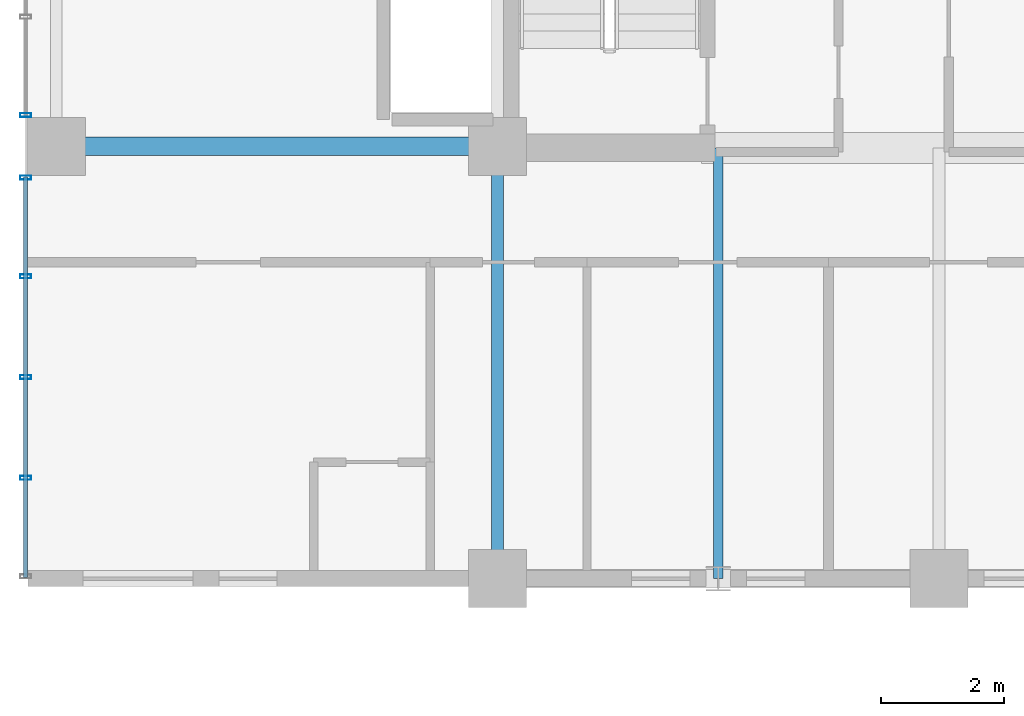
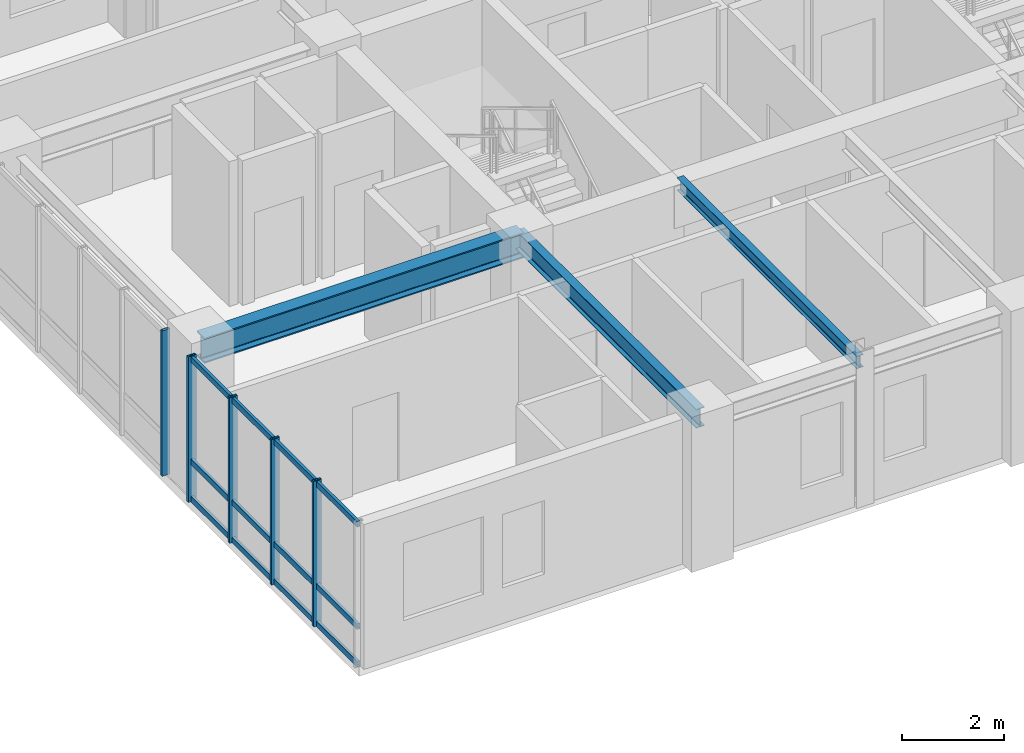
# One storey, part 6 of 20: 8 members, 3 beams, 2 elements without a shape of their own.
"""IFC4 building model written with IfcOpenShell, lengths in metres."""

from ifc_helpers import new_model, si_unit, direction, frame, origin, origin_2d, place, context, subcontext, project, spatial, hollow_rectangle, i_section, extrude, source, transform, mapped, material, layer, layer_set, material_profile, profile_set, type_object, element, aggregate, save


model = new_model("IFC4")

# Units and contexts
model_context = context("Model", 3, precision=1e-05, world=origin(), true_north=direction((0.0, 1.0)))
body_context = subcontext(model_context, "Body", "Model", "MODEL_VIEW")
ifc_project = project(units=[si_unit("LENGTHUNIT", "METRE"), si_unit("AREAUNIT", "SQUARE_METRE"), si_unit("VOLUMEUNIT", "CUBIC_METRE"), si_unit("PLANEANGLEUNIT", "RADIAN"), si_unit("MASSUNIT", "GRAM", prefix="KILO")], contexts=[model_context])

# Site, building, storey
site_placement = place(None, origin())
site = spatial("IfcSite", under=ifc_project, at=site_placement, CompositionType="ELEMENT")
building_placement = place(site_placement, origin())
building = spatial("IfcBuilding", under=site, at=building_placement, Name="Kaliganga Portal Commons", CompositionType="ELEMENT")
storey_placement = place(building_placement, frame((0.0, 0.0, 201.800048828125)))
storey = spatial("IfcBuildingStorey", under=building, at=storey_placement, Name="L51", CompositionType="ELEMENT", Elevation=201.800048828125)

# Beams
ifc_material_1 = material(Name="Structural steel S355J2", Category="steel")
ifc_material_profile_1 = material_profile(ifc_material_1, i_section(OverallWidth=0.300048828125, OverallDepth=0.60009765625, WebThickness=0.015380859375, FlangeThickness=0.030029296875, FilletRadius=0.027099609375, at=origin_2d()), Name="HE 600 B")
ifc_profile_set_1 = profile_set([ifc_material_profile_1], Name="Structural steel S355J2 wide-flange")
beam_type_1 = type_object("IfcBeamType", Name="BM-GIRD-600", PredefinedType="USERDEFINED", material=ifc_profile_set_1)
shared_shape_1 = source(origin(), body_context, "Body", "SweptSolid", [
    extrude(i_section(OverallWidth=0.300048828125, OverallDepth=0.60009765625, WebThickness=0.015380859375, FlangeThickness=0.030029296875, FilletRadius=0.027099609375, at=origin_2d()), origin(), (0.0, 0.0, 1.0), 7.199951171875),
])
beam_1_placement = place(storey_placement, frame((7.199951171875, 28.64990234375, 3.169921875), z_axis=(1.0, 0.0, 0.0), x_axis=(0.0, 1.0, 0.0)))
element("IfcBeam", 1, at=beam_1_placement, inside=storey, type_object=beam_type_1, Name="BM G L51 WAH_S 1", ObjectType="GIRDER", PredefinedType="USERDEFINED", context=body_context, shape_type="MappedRepresentation", body=[
    mapped(shared_shape_1, transform((0.0, 0.0, 0.0), x_axis=(1.0, 0.0, 0.0), y_axis=(0.0, 1.0, 0.0), z_axis=(0.0, 0.0, 1.0), scale=1.0)),
])
ifc_material_profile_2 = material_profile(ifc_material_1, i_section(OverallWidth=0.18994140625, OverallDepth=0.449951171875, WebThickness=0.009521484375, FlangeThickness=0.0146484375, FilletRadius=0.02099609375, at=origin_2d()), Name="IPE 450")
ifc_profile_set_2 = profile_set([ifc_material_profile_2], Name="Structural steel S355J2 wide-flange")
beam_type_2 = type_object("IfcBeamType", Name="BM-FLR-450", PredefinedType="BEAM", material=ifc_profile_set_2)
shared_shape_2 = source(origin(), body_context, "Body", "SweptSolid", [
    extrude(i_section(OverallWidth=0.18994140625, OverallDepth=0.449951171875, WebThickness=0.009521484375, FlangeThickness=0.0146484375, FilletRadius=0.02099609375, at=origin_2d()), origin(), (0.0, 0.0, 1.0), 7.0498046875),
])
beam_2_placement = place(storey_placement, frame((14.39990234375, 21.60009765625, 3.244873046875), z_axis=(0.0, 1.0, 0.0), x_axis=(-1.0, 0.0, 0.0)))
element("IfcBeam", 2, at=beam_2_placement, inside=storey, type_object=beam_type_2, Name="BM G L51 AS144", PredefinedType="BEAM", context=body_context, shape_type="MappedRepresentation", body=[
    mapped(shared_shape_2, transform((0.0, 0.0, 0.0), x_axis=(1.0, 0.0, 0.0), y_axis=(0.0, 1.0, 0.0), z_axis=(0.0, 0.0, 1.0), scale=1.0)),
])
ifc_material_profile_3 = material_profile(ifc_material_1, i_section(OverallWidth=0.14990234375, OverallDepth=0.300048828125, WebThickness=0.007080078125, FlangeThickness=0.0107421875, FilletRadius=0.014892578125, at=origin_2d()), Name="IPE 300")
ifc_profile_set_3 = profile_set([ifc_material_profile_3], Name="Structural steel S355J2 wide-flange")
beam_type_3 = type_object("IfcBeamType", Name="BM-JST-300", PredefinedType="JOIST", material=ifc_profile_set_3)
shared_shape_3 = source(origin(), body_context, "Body", "SweptSolid", [
    extrude(i_section(OverallWidth=0.14990234375, OverallDepth=0.300048828125, WebThickness=0.007080078125, FlangeThickness=0.0107421875, FilletRadius=0.014892578125, at=origin_2d()), origin(), (0.0, 0.0, 1.0), 7.02490234375),
])
beam_3_placement = place(storey_placement, frame((18.0, 21.60009765625, 3.320068359375), z_axis=(0.0, 1.0, 0.0), x_axis=(-1.0, 0.0, 0.0)))
element("IfcBeam", 3, at=beam_3_placement, inside=storey, type_object=beam_type_3, Name="BM G L51 AS180", PredefinedType="JOIST", context=body_context, shape_type="MappedRepresentation", body=[
    mapped(shared_shape_3, transform((0.0, 0.0, 0.0), x_axis=(1.0, 0.0, 0.0), y_axis=(0.0, 1.0, 0.0), z_axis=(0.0, 0.0, 1.0), scale=1.0)),
])

# Curtain wall, member
ifc_material_2 = material(Name="Anodized Aluminium and Laminated Low-E Glass", Category="aluminium")
ifc_layer = layer(ifc_material_2, 0.199951171875)
ifc_layer_set = layer_set([ifc_layer], Name="Anodized Aluminium and Laminated Low-E Glass")
curtain_wall_type = type_object("IfcCurtainWallType", Name="CW-SYS-02", PredefinedType="NOTDEFINED", material=ifc_layer_set)
curtain_wall_1_placement = place(storey_placement, origin())
curtain_wall_1 = element("IfcCurtainWall", 4, at=curtain_wall_1_placement, inside=storey, type_object=curtain_wall_type, Name="CW 02 L51 P1E03S2", PredefinedType="NOTDEFINED")
ifc_material_3 = material(Name="Dark Bronze Anodized Aluminium", Category="aluminium")
ifc_material_profile_4 = material_profile(ifc_material_3, hollow_rectangle(XDim=0.06494140625, YDim=0.179931640625, WallThickness=0.00390625, at=origin_2d()), Name="ALU MULL 65x180x4")
ifc_profile_set_4 = profile_set([ifc_material_profile_4], Name="Dark Bronze Anodized Aluminium")
member_type_1 = type_object("IfcMemberType", Name="CW-MUL-180", PredefinedType="MULLION", material=ifc_profile_set_4)
shared_shape_4 = source(origin(), body_context, "Body", "SweptSolid", [
    extrude(hollow_rectangle(XDim=0.06494140625, YDim=0.179931640625, WallThickness=0.00390625, at=origin_2d()), origin(), (0.0, 0.0, 1.0), 3.469970703125),
])
member_1_placement = place(storey_placement, frame((6.699951171875, 29.160888671875, 0.0), z_axis=(0.0, 0.0, 1.0), x_axis=(0.0, -1.0, 0.0)))
member_1 = element("IfcMember", 5, at=member_1_placement, type_object=member_type_1, Name="CW:02:L51:P1E03S2 Mullion 04", PredefinedType="MULLION", context=body_context, shape_type="MappedRepresentation", body=[
    mapped(shared_shape_4, transform((0.0, 0.0, 0.0), x_axis=(1.0, 0.0, 0.0), y_axis=(0.0, 1.0, 0.0), z_axis=(0.0, 0.0, 1.0), scale=1.0)),
])
aggregate(curtain_wall_1, [member_1])

# Curtain wall, members
curtain_wall_2_placement = place(storey_placement, origin())
curtain_wall_2 = element("IfcCurtainWall", 6, at=curtain_wall_2_placement, inside=storey, type_object=curtain_wall_type, Name="CW 02 L51 P1E03S3", PredefinedType="NOTDEFINED")
member_2_placement = place(storey_placement, frame((6.699951171875, 28.138916015625, 0.0), z_axis=(0.0, 0.0, 1.0), x_axis=(0.0, -1.0, 0.0)))
member_2 = element("IfcMember", 7, at=member_2_placement, type_object=member_type_1, Name="CW:02:L51:P1E03S3 Mullion 00", PredefinedType="MULLION", context=body_context, shape_type="MappedRepresentation", body=[
    mapped(shared_shape_4, transform((0.0, 0.0, 0.0), x_axis=(1.0, 0.0, 0.0), y_axis=(0.0, 1.0, 0.0), z_axis=(0.0, 0.0, 1.0), scale=1.0)),
])
member_3_placement = place(storey_placement, frame((6.699951171875, 26.530517578125, 0.0), z_axis=(0.0, 0.0, 1.0), x_axis=(0.0, -1.0, 0.0)))
member_3 = element("IfcMember", 8, at=member_3_placement, type_object=member_type_1, Name="CW:02:L51:P1E03S3 Mullion 01", PredefinedType="MULLION", context=body_context, shape_type="MappedRepresentation", body=[
    mapped(shared_shape_4, transform((0.0, 0.0, 0.0), x_axis=(1.0, 0.0, 0.0), y_axis=(0.0, 1.0, 0.0), z_axis=(0.0, 0.0, 1.0), scale=1.0)),
])
member_4_placement = place(storey_placement, frame((6.699951171875, 24.886962890625, 0.0), z_axis=(0.0, 0.0, 1.0), x_axis=(0.0, -1.0, 0.0)))
member_4 = element("IfcMember", 9, at=member_4_placement, type_object=member_type_1, Name="CW:02:L51:P1E03S3 Mullion 02", PredefinedType="MULLION", context=body_context, shape_type="MappedRepresentation", body=[
    mapped(shared_shape_4, transform((0.0, 0.0, 0.0), x_axis=(1.0, 0.0, 0.0), y_axis=(0.0, 1.0, 0.0), z_axis=(0.0, 0.0, 1.0), scale=1.0)),
])
member_5_placement = place(storey_placement, frame((6.699951171875, 23.243408203125, 0.0), z_axis=(0.0, 0.0, 1.0), x_axis=(0.0, -1.0, 0.0)))
member_5 = element("IfcMember", 10, at=member_5_placement, type_object=member_type_1, Name="CW:02:L51:P1E03S3 Mullion 03", PredefinedType="MULLION", context=body_context, shape_type="MappedRepresentation", body=[
    mapped(shared_shape_4, transform((0.0, 0.0, 0.0), x_axis=(1.0, 0.0, 0.0), y_axis=(0.0, 1.0, 0.0), z_axis=(0.0, 0.0, 1.0), scale=1.0)),
])
ifc_material_profile_5 = material_profile(ifc_material_3, hollow_rectangle(XDim=0.06494140625, YDim=0.135009765625, WallThickness=0.00341796875, at=origin_2d()), Name="ALU TRAN 65x135x3.5")
ifc_profile_set_5 = profile_set([ifc_material_profile_5], Name="Dark Bronze Anodized Aluminium")
member_type_2 = type_object("IfcMemberType", Name="CW-TRN-135", PredefinedType="USERDEFINED", material=ifc_profile_set_5)
shared_shape_5 = source(origin(), body_context, "Body", "SweptSolid", [
    extrude(hollow_rectangle(XDim=0.06494140625, YDim=0.135009765625, WallThickness=0.00341796875, at=origin_2d()), origin(), (0.0, 0.0, 1.0), 6.533935546875),
])
member_6_placement = place(storey_placement, frame((6.699951171875, 28.154052734375, 0.06005859375), z_axis=(0.0, -1.0, 0.0), x_axis=(1.0, 0.0, 0.0)))
member_6 = element("IfcMember", 11, at=member_6_placement, type_object=member_type_2, Name="CW:02:L51:P1E03S3 Transom 1", ObjectType="TRANSOM", PredefinedType="USERDEFINED", context=body_context, shape_type="MappedRepresentation", body=[
    mapped(shared_shape_5, transform((0.0, 0.0, 0.0), x_axis=(1.0, 0.0, 0.0), y_axis=(0.0, 1.0, 0.0), z_axis=(0.0, 0.0, 1.0), scale=1.0)),
])
member_7_placement = place(storey_placement, frame((6.699951171875, 28.154052734375, 0.949951171875), z_axis=(0.0, -1.0, 0.0), x_axis=(1.0, 0.0, 0.0)))
member_7 = element("IfcMember", 12, at=member_7_placement, type_object=member_type_2, Name="CW:02:L51:P1E03S3 Transom 2", ObjectType="TRANSOM", PredefinedType="USERDEFINED", context=body_context, shape_type="MappedRepresentation", body=[
    mapped(shared_shape_5, transform((0.0, 0.0, 0.0), x_axis=(1.0, 0.0, 0.0), y_axis=(0.0, 1.0, 0.0), z_axis=(0.0, 0.0, 1.0), scale=1.0)),
])
member_8_placement = place(storey_placement, frame((6.699951171875, 28.154052734375, 3.389892578125), z_axis=(0.0, -1.0, 0.0), x_axis=(1.0, 0.0, 0.0)))
member_8 = element("IfcMember", 13, at=member_8_placement, type_object=member_type_2, Name="CW:02:L51:P1E03S3 Transom 3", ObjectType="TRANSOM", PredefinedType="USERDEFINED", context=body_context, shape_type="MappedRepresentation", body=[
    mapped(shared_shape_5, transform((0.0, 0.0, 0.0), x_axis=(1.0, 0.0, 0.0), y_axis=(0.0, 1.0, 0.0), z_axis=(0.0, 0.0, 1.0), scale=1.0)),
])
aggregate(curtain_wall_2, [member_2, member_3, member_4, member_5, member_6, member_7, member_8])

save(model, "model.ifc")
